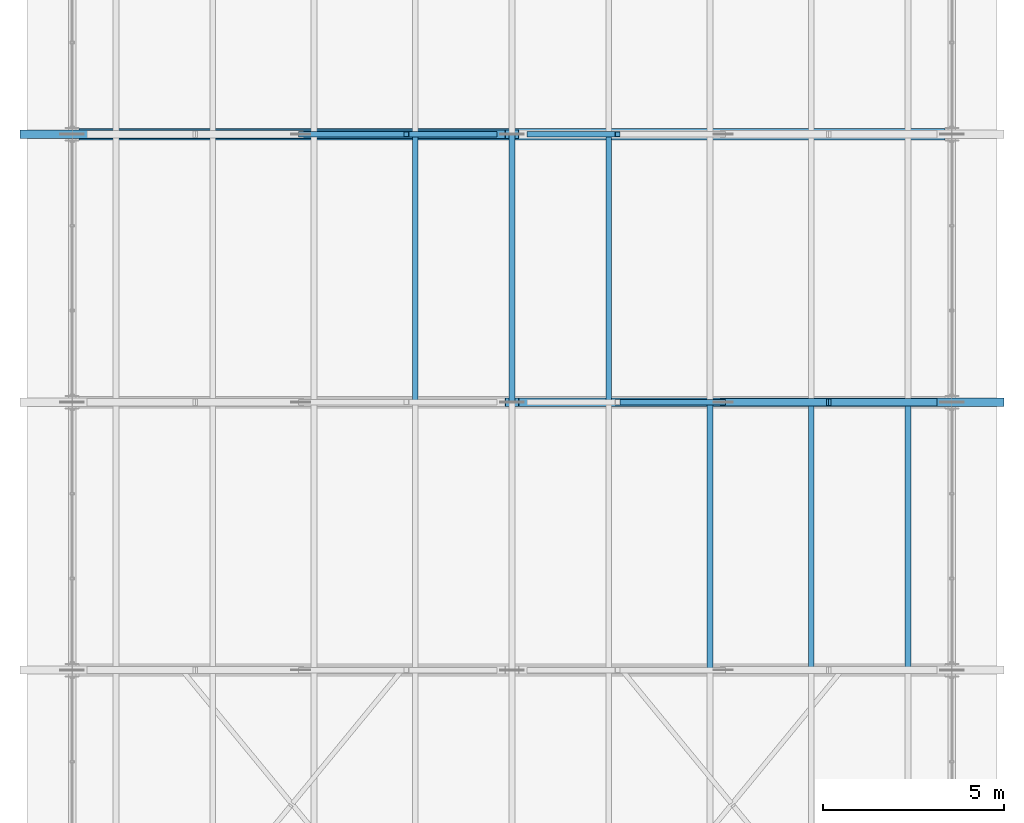
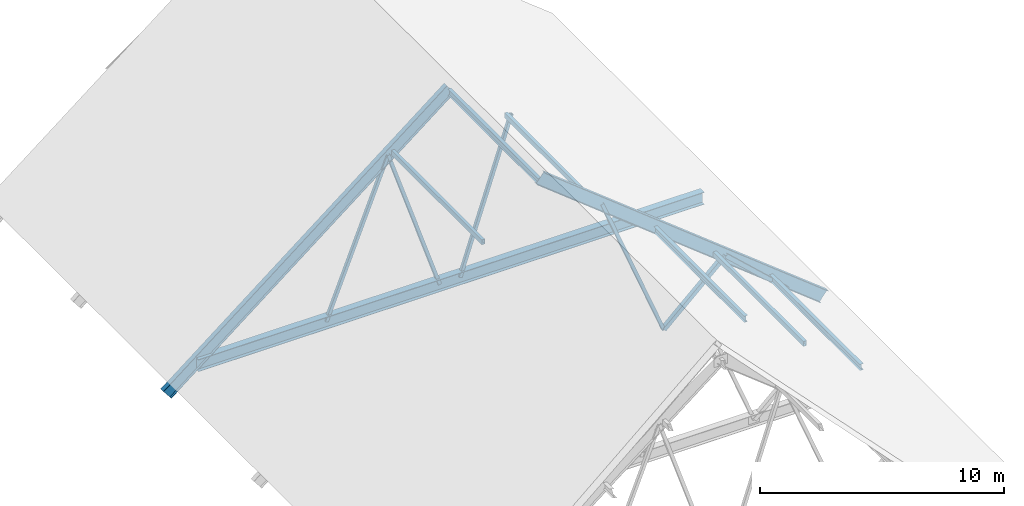
# One storey, part 28 of 44: 13 members, 2 beams.
"""IFC4 building model written with IfcOpenShell, lengths in metres."""

from ifc_helpers import new_model, si_unit, direction, frame, origin, origin_2d, place, context, subcontext, project, spatial, hollow_rectangle, i_section, extrude, material, material_profile, profile_set, type_object, element, save


model = new_model("IFC4")

# Units and contexts
model_context = context("Model", 3, precision=1e-05, world=origin(), true_north=direction((0.0, 1.0)))
body_context = subcontext(model_context, "Body", "Model", "MODEL_VIEW")
ifc_project = project(units=[si_unit("LENGTHUNIT", "METRE"), si_unit("AREAUNIT", "SQUARE_METRE"), si_unit("VOLUMEUNIT", "CUBIC_METRE"), si_unit("PLANEANGLEUNIT", "RADIAN"), si_unit("MASSUNIT", "GRAM", prefix="KILO")], contexts=[model_context])

# Site, building, storey
site_placement = place(None, origin())
site = spatial("IfcSite", under=ifc_project, at=site_placement, CompositionType="ELEMENT")
building_placement = place(site_placement, origin())
building = spatial("IfcBuilding", under=site, at=building_placement, Name="Cimatlan Art Gallery", CompositionType="ELEMENT")
storey_placement = place(building_placement, frame((0.0, 0.0, 26.39990234375)))
storey = spatial("IfcBuildingStorey", under=building, at=storey_placement, Name="Roof", CompositionType="ELEMENT", Elevation=26.39990234375)

# Beams
ifc_material_1 = material(Name="Steel ASTM A992 Grade 50", Category="steel")
ifc_material_profile_1 = material_profile(ifc_material_1, i_section(OverallWidth=0.22802734375, OverallDepth=0.60791015625, WebThickness=0.01123046875, FlangeThickness=0.017333984375, at=origin_2d()), Name="W24X76")
ifc_profile_set_1 = profile_set([ifc_material_profile_1], Name="Steel ASTM A992 Grade 50")
beam_type = type_object("IfcBeamType", Name="BM-TRS-RAF", PredefinedType="BEAM", material=ifc_profile_set_1)
beam_1_placement = place(storey_placement, frame((87.050048828125, 60.89990234375, 11.0), z_axis=(0.784632771217, 0.0, -0.619960816772), x_axis=(0.0, 1.0, 0.0)))
element("IfcBeam", 1, at=beam_1_placement, inside=storey, type_object=beam_type, Name="TRS-06-RAF-E", PredefinedType="BEAM", context=body_context, shape_type="SweptSolid", body=[
    extrude(i_section(OverallWidth=0.22802734375, OverallDepth=0.60791015625, WebThickness=0.01123046875, FlangeThickness=0.017333984375, at=origin_2d()), origin(), (0.0, 0.0, 1.0), 17.077880859375),
])
beam_2_placement = place(storey_placement, frame((73.64990234375, 68.300048828125, 0.412353515625), z_axis=(0.78463826569, 0.0, 0.619953862812), x_axis=(0.0, 1.0, 0.0)))
element("IfcBeam", 2, at=beam_2_placement, inside=storey, type_object=beam_type, Name="TRS-07-RAF-W", PredefinedType="BEAM", context=body_context, shape_type="SweptSolid", body=[
    extrude(i_section(OverallWidth=0.22802734375, OverallDepth=0.60791015625, WebThickness=0.01123046875, FlangeThickness=0.017333984375, at=origin_2d()), origin(), (0.0, 0.0, 1.0), 17.078125),
])

# Members
ifc_material_2 = material(Name="Steel ASTM A500 Grade C", Category="steel")
ifc_material_profile_2 = material_profile(ifc_material_2, hollow_rectangle(XDim=0.14990234375, YDim=0.25, WallThickness=0.010009765625, at=origin_2d()), Name="HSS250X150X10")
ifc_profile_set_2 = profile_set([ifc_material_profile_2], Name="Steel ASTM A500 Grade C")
member_type_1 = type_object("IfcMemberType", Name="MBR-PUR-C250", PredefinedType="PURLIN", material=ifc_profile_set_2)
member_1_placement = place(storey_placement, frame((95.31201171875, 53.5, 4.31201171875), z_axis=(0.0, 1.0, 0.0), x_axis=(-1.0, 0.0, 0.0)))
element("IfcMember", 3, at=member_1_placement, inside=storey, type_object=member_type_1, Name="PUR-V1-B5-E3", PredefinedType="PURLIN", context=body_context, shape_type="SweptSolid", body=[
    extrude(hollow_rectangle(XDim=0.14990234375, YDim=0.25, WallThickness=0.010009765625, at=origin_2d()), origin(), (0.0, 0.0, 1.0), 7.39990234375),
])
for number, where, z_axis, x_axis, name in (
    (4, (84.376953125, 60.89990234375, 8.72802734375), (0.0, 1.0, 0.0), (-1.0, 0.0, 0.0), "PUR-V1-B6-W1"),
    (5, (89.722900390625, 60.89990234375, 8.72802734375), (0.0, 1.0, 0.0), (-1.0, 0.0, 0.0), "PUR-V1-B6-E1"),
):
    element("IfcMember", number, at=place(storey_placement, frame(where, z_axis=z_axis, x_axis=x_axis)), inside=storey, type_object=member_type_1, Name=name, PredefinedType="PURLIN", context=body_context, shape_type="SweptSolid", body=[
        extrude(hollow_rectangle(XDim=0.14990234375, YDim=0.25, WallThickness=0.010009765625, at=origin_2d()), origin(), (0.0, 0.0, 1.0), 7.400146484375),
    ])
ifc_material_profile_3 = material_profile(ifc_material_1, i_section(OverallWidth=0.1650390625, OverallDepth=0.31005859375, WebThickness=0.005859375, FlangeThickness=0.009765625, at=origin_2d()), Name="W12X26")
ifc_profile_set_3 = profile_set([ifc_material_profile_3], Name="Steel ASTM A992 Grade 50")
member_type_2 = type_object("IfcMemberType", Name="MBR-PUR-W12", PredefinedType="PURLIN", material=ifc_profile_set_3)
for number, where, z_axis, x_axis, name in (
    (6, (92.517578125, 53.5, 6.52001953125), (0.0, 1.0, 0.0), (-1.0, 0.0, 0.0), "PUR-V1-B5-E2"),
    (7, (97.985107421875, 53.5, 2.2001953125), (0.0, 1.0, 0.0), (-1.0, 0.0, 0.0), "PUR-V1-B5-E4"),
):
    element("IfcMember", number, at=place(storey_placement, frame(where, z_axis=z_axis, x_axis=x_axis)), inside=storey, type_object=member_type_2, Name=name, PredefinedType="PURLIN", context=body_context, shape_type="SweptSolid", body=[
        extrude(i_section(OverallWidth=0.1650390625, OverallDepth=0.31005859375, WebThickness=0.005859375, FlangeThickness=0.009765625, at=origin_2d()), origin(), (0.0, 0.0, 1.0), 7.39990234375),
    ])
member_2_placement = place(storey_placement, frame((87.050048828125, 60.89990234375, 10.820068359375), z_axis=(0.0, 1.0, 0.0), x_axis=(-1.0, 0.0, 0.0)))
element("IfcMember", 8, at=member_2_placement, inside=storey, type_object=member_type_2, Name="PUR-V1-B6-RDG", PredefinedType="PURLIN", context=body_context, shape_type="SweptSolid", body=[
    extrude(i_section(OverallWidth=0.1650390625, OverallDepth=0.31005859375, WebThickness=0.005859375, FlangeThickness=0.009765625, at=origin_2d()), origin(), (0.0, 0.0, 1.0), 7.400146484375),
])
ifc_material_profile_4 = material_profile(ifc_material_2, hollow_rectangle(XDim=0.199951171875, YDim=0.199951171875, WallThickness=0.010009765625, at=origin_2d()), Name="HSS200X200X10")
ifc_profile_set_4 = profile_set([ifc_material_profile_4], Name="Steel ASTM A500 Grade C")
member_type_3 = type_object("IfcMemberType", Name="MBR-TRS-DIAG-1", PredefinedType="BRACE", material=ifc_profile_set_4)
for number, where, z_axis, x_axis, name in (
    (9, (98.714111328125, 60.89990234375, 1.400146484375), (-0.735270574228, 0.0, 0.677773695768), (0.0, -1.0, 0.0), "TRS-06-DE-1"),
    (10, (95.798095703125, 60.89990234375, 4.088134765625), (-0.735270574228, 0.0, -0.677773695768), (0.0, -1.0, 0.0), "TRS-06-DE-2"),
):
    element("IfcMember", number, at=place(storey_placement, frame(where, z_axis=z_axis, x_axis=x_axis)), inside=storey, type_object=member_type_3, Name=name, PredefinedType="BRACE", context=body_context, shape_type="SweptSolid", body=[
        extrude(hollow_rectangle(XDim=0.199951171875, YDim=0.199951171875, WallThickness=0.010009765625, at=origin_2d()), origin(), (0.0, 0.0, 1.0), 3.9658203125),
    ])
ifc_material_profile_5 = material_profile(ifc_material_2, hollow_rectangle(XDim=0.14990234375, YDim=0.14990234375, WallThickness=0.008056640625, at=origin_2d()), Name="HSS150X150X8")
ifc_profile_set_5 = profile_set([ifc_material_profile_5], Name="Steel ASTM A500 Grade C")
member_type_4 = type_object("IfcMemberType", Name="MBR-TRS-DIAG-2", PredefinedType="BRACE", material=ifc_profile_set_5)
for number, where, z_axis, x_axis, name in (
    (11, (92.882080078125, 60.89990234375, 1.400146484375), (-0.371133507913, 0.0, 0.928579516953), (0.0, -1.0, 0.0), "TRS-06-DE-3"),
    (12, (81.218017578125, 68.300048828125, 1.400146484375), (0.371133507913, 0.0, 0.928579516953), (0.0, 1.0, 0.0), "TRS-07-DW-3"),
):
    element("IfcMember", number, at=place(storey_placement, frame(where, z_axis=z_axis, x_axis=x_axis)), inside=storey, type_object=member_type_4, Name=name, PredefinedType="BRACE", context=body_context, shape_type="SweptSolid", body=[
        extrude(hollow_rectangle(XDim=0.14990234375, YDim=0.14990234375, WallThickness=0.008056640625, at=origin_2d()), origin(), (0.0, 0.0, 1.0), 7.85693359375),
    ])
for number, where, z_axis, x_axis, name in (
    (13, (84.134033203125, 68.300048828125, 8.696044921875), (0.315989644699, 0.0, -0.948762638621), (0.0, 1.0, 0.0), "TRS-07-DW-4"),
    (14, (89.966064453125, 68.300048828125, 8.696044921875), (-0.316018222412, 0.0, -0.948753120208), (0.0, -1.0, 0.0), "TRS-07-DE-4"),
):
    element("IfcMember", number, at=place(storey_placement, frame(where, z_axis=z_axis, x_axis=x_axis)), inside=storey, type_object=member_type_4, Name=name, PredefinedType="BRACE", context=body_context, shape_type="SweptSolid", body=[
        extrude(hollow_rectangle(XDim=0.14990234375, YDim=0.14990234375, WallThickness=0.008056640625, at=origin_2d()), origin(), (0.0, 0.0, 1.0), 7.68994140625),
    ])
ifc_material_profile_6 = material_profile(ifc_material_1, i_section(OverallWidth=0.323974609375, OverallDepth=0.611083984375, WebThickness=0.0126953125, FlangeThickness=0.01904296875, at=origin_2d()), Name="W24X104")
ifc_profile_set_6 = profile_set([ifc_material_profile_6], Name="Steel ASTM A992 Grade 50")
member_type_5 = type_object("IfcMemberType", Name="MBR-TRS-TIE", PredefinedType="CHORD", material=ifc_profile_set_6)
member_3_placement = place(storey_placement, frame((75.096923828125, 68.300048828125, 1.400146484375), z_axis=(1.0, 0.0, 0.0), x_axis=(0.0, 1.0, 0.0)))
element("IfcMember", 15, at=member_3_placement, inside=storey, type_object=member_type_5, Name="TRS-07-TIE", PredefinedType="CHORD", context=body_context, shape_type="SweptSolid", body=[
    extrude(i_section(OverallWidth=0.323974609375, OverallDepth=0.611083984375, WebThickness=0.0126953125, FlangeThickness=0.01904296875, at=origin_2d()), origin(), (0.0, 0.0, 1.0), 23.906005859375),
])

save(model, "model.ifc")
